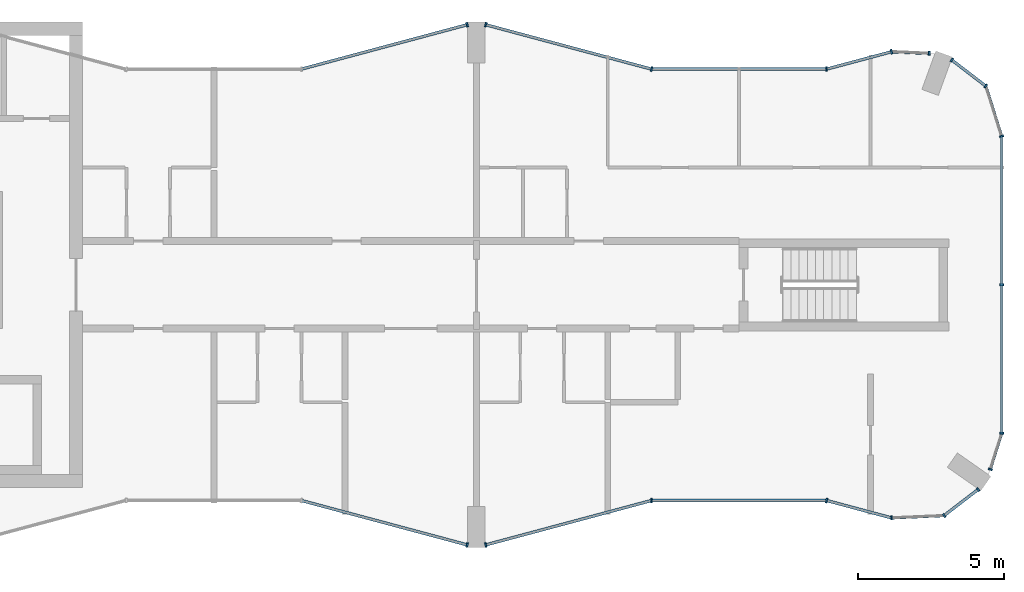
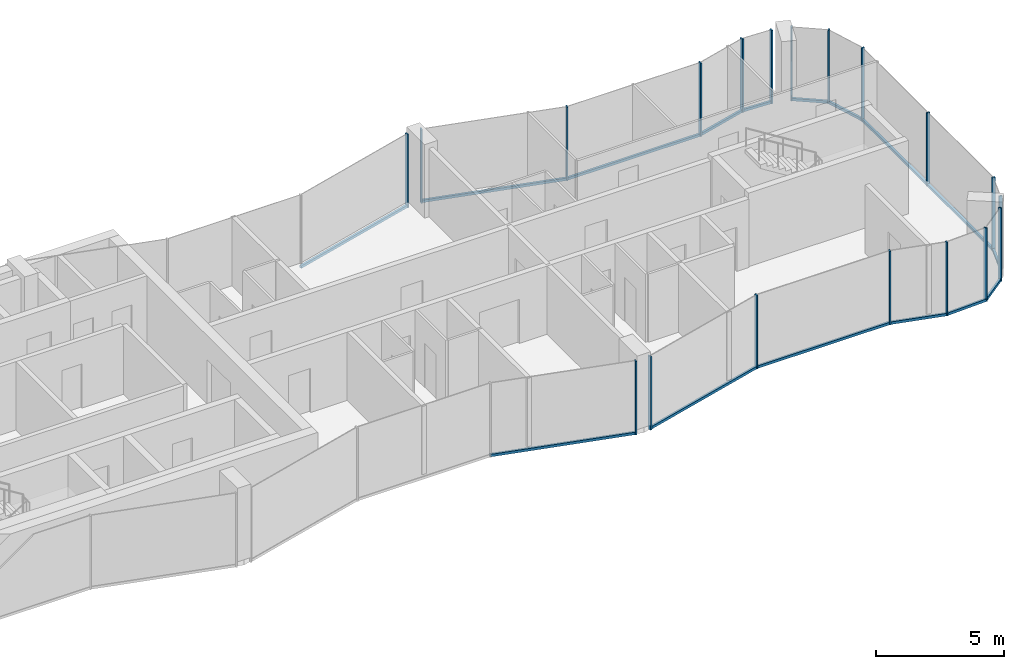
# One storey, part 5 of 10: 34 members, 15 elements without a shape of their own.
"""IFC4 building model written with IfcOpenShell, lengths in metres."""

from ifc_helpers import new_model, si_unit, direction, frame, origin, origin_2d, place, context, subcontext, project, spatial, rectangle, extrude, material, layer, layer_set, material_profile, profile_set, type_object, element, aggregate, save


model = new_model("IFC4")

# Units and contexts
model_context = context("Model", 3, precision=1e-05, world=origin(), true_north=direction((0.0, 1.0)))
body_context = subcontext(model_context, "Body", "Model", "MODEL_VIEW")
ifc_project = project(units=[si_unit("LENGTHUNIT", "METRE"), si_unit("AREAUNIT", "SQUARE_METRE"), si_unit("VOLUMEUNIT", "CUBIC_METRE"), si_unit("PLANEANGLEUNIT", "RADIAN"), si_unit("MASSUNIT", "GRAM", prefix="KILO")], contexts=[model_context])

# Site, building, storey
site_placement = place(None, origin())
site = spatial("IfcSite", under=ifc_project, at=site_placement, CompositionType="ELEMENT")
building_placement = place(site_placement, origin())
building = spatial("IfcBuilding", under=site, at=building_placement, Name="Plateau Cross Towers", CompositionType="ELEMENT")
storey_placement = place(building_placement, frame((0.0, 0.0, 263.39990234375)))
storey = spatial("IfcBuildingStorey", under=building, at=storey_placement, Name="L69", CompositionType="ELEMENT", Elevation=263.39990234375)

# Curtain wall, member
ifc_material_1 = material(Name="Dark low-iron glass", Category="glass")
ifc_layer_1 = layer(ifc_material_1, 0.239990234375)
ifc_layer_set_1 = layer_set([ifc_layer_1], Name="Dark low-iron glass")
curtain_wall_type_1 = type_object("IfcCurtainWallType", Name="Curtain wall flush unitised CW-B", PredefinedType="NOTDEFINED", material=ifc_layer_set_1)
curtain_wall_1_placement = place(storey_placement, origin())
curtain_wall_1 = element("IfcCurtainWall", 1, at=curtain_wall_1_placement, inside=storey, type_object=curtain_wall_type_1, Name="ENV/A/L69/A502_10", PredefinedType="NOTDEFINED")
ifc_material_2 = material(Name="Black anodised aluminium", Category="aluminium")
ifc_material_profile_1 = material_profile(ifc_material_2, rectangle(XDim=0.06005859375, YDim=0.139892578125, at=origin_2d()), Name="MULLION 60x140")
ifc_profile_set_1 = profile_set([ifc_material_profile_1], Name="Black anodised aluminium")
member_type_1 = type_object("IfcMemberType", Name="Mullion 60x140 flush unitised", PredefinedType="MULLION", material=ifc_profile_set_1)
member_1_placement = place(storey_placement, frame((50.223876953125, 1.01123046875, -0.25), z_axis=(0.0, 0.0, 1.0), x_axis=(0.999043701491, 0.043722791671, 0.0)))
member_1 = element("IfcMember", 2, at=member_1_placement, type_object=member_type_1, Name="CW-B mullion 1", PredefinedType="MULLION", context=body_context, shape_type="SweptSolid", body=[
    extrude(rectangle(XDim=0.06005859375, YDim=0.139892578125, at=origin_2d()), origin(), (0.0, 0.0, 1.0), 3.5),
])

# Curtain wall, members
curtain_wall_2_placement = place(storey_placement, origin())
curtain_wall_2 = element("IfcCurtainWall", 3, at=curtain_wall_2_placement, inside=storey, type_object=curtain_wall_type_1, Name="ENV/A/L69/A520_11", PredefinedType="NOTDEFINED")
member_2_placement = place(storey_placement, frame((52.0263671875, 1.090087890625, -0.25), z_axis=(0.0, 0.0, 1.0), x_axis=(0.793315514529, 0.608810721331, 0.0)))
member_2 = element("IfcMember", 4, at=member_2_placement, type_object=member_type_1, Name="CW-B mullion 1", PredefinedType="MULLION", context=body_context, shape_type="SweptSolid", body=[
    extrude(rectangle(XDim=0.06005859375, YDim=0.139892578125, at=origin_2d()), origin(), (0.0, 0.0, 1.0), 3.5),
])
member_3_placement = place(storey_placement, frame((53.193603515625, 1.986083984375, -0.25), z_axis=(0.0, 0.0, 1.0), x_axis=(0.793315514529, 0.608810721331, 0.0)))
member_3 = element("IfcMember", 5, at=member_3_placement, type_object=member_type_1, Name="CW-B mullion 2", PredefinedType="MULLION", context=body_context, shape_type="SweptSolid", body=[
    extrude(rectangle(XDim=0.06005859375, YDim=0.139892578125, at=origin_2d()), origin(), (0.0, 0.0, 1.0), 3.5),
])

# Curtain wall, member
curtain_wall_3_placement = place(storey_placement, origin())
curtain_wall_3 = element("IfcCurtainWall", 6, at=curtain_wall_3_placement, inside=storey, type_object=curtain_wall_type_1, Name="ENV/A/L69/A536_27", PredefinedType="NOTDEFINED")
member_4_placement = place(storey_placement, frame((53.611083984375, 2.67529296875, -0.25), z_axis=(0.0, 0.0, 1.0), x_axis=(0.300686174994, 0.95372313811, 0.0)))
member_4 = element("IfcMember", 7, at=member_4_placement, type_object=member_type_1, Name="CW-B mullion 1", PredefinedType="MULLION", context=body_context, shape_type="SweptSolid", body=[
    extrude(rectangle(XDim=0.06005859375, YDim=0.139892578125, at=origin_2d()), origin(), (0.0, 0.0, 1.0), 3.5),
])

# Curtain wall, members
curtain_wall_4_placement = place(storey_placement, origin())
curtain_wall_4 = element("IfcCurtainWall", 8, at=curtain_wall_4_placement, inside=storey, type_object=curtain_wall_type_1, Name="ENV/A/L69/A540_39", PredefinedType="NOTDEFINED")
member_5_placement = place(storey_placement, frame((54.0, 3.9091796875, -0.25), z_axis=(0.0, 0.0, 1.0), x_axis=(0.0, 1.0, 0.0)))
member_5 = element("IfcMember", 9, at=member_5_placement, type_object=member_type_1, Name="CW-B mullion 1", PredefinedType="MULLION", context=body_context, shape_type="SweptSolid", body=[
    extrude(rectangle(XDim=0.06005859375, YDim=0.139892578125, at=origin_2d()), origin(), (0.0, 0.0, 1.0), 3.5),
])
member_6_placement = place(storey_placement, frame((54.0, 9.0, -0.25), z_axis=(0.0, 0.0, 1.0), x_axis=(0.0, 1.0, 0.0)))
member_6 = element("IfcMember", 10, at=member_6_placement, type_object=member_type_1, Name="CW-B mullion 2", PredefinedType="MULLION", context=body_context, shape_type="SweptSolid", body=[
    extrude(rectangle(XDim=0.06005859375, YDim=0.139892578125, at=origin_2d()), origin(), (0.0, 0.0, 1.0), 3.5),
])

# Curtain wall, member
curtain_wall_5_placement = place(storey_placement, origin())
curtain_wall_5 = element("IfcCurtainWall", 11, at=curtain_wall_5_placement, inside=storey, type_object=curtain_wall_type_1, Name="ENV/A/L69/A540_141", PredefinedType="NOTDEFINED")
member_7_placement = place(storey_placement, frame((54.0, 14.0908203125, -0.25), z_axis=(0.0, 0.0, 1.0), x_axis=(-0.300686174994, 0.95372313811, 0.0)))
member_7 = element("IfcMember", 12, at=member_7_placement, type_object=member_type_1, Name="CW-B mullion 1", PredefinedType="MULLION", context=body_context, shape_type="SweptSolid", body=[
    extrude(rectangle(XDim=0.06005859375, YDim=0.139892578125, at=origin_2d()), origin(), (0.0, 0.0, 1.0), 3.5),
])

# Curtain wall, members
curtain_wall_6_placement = place(storey_placement, origin())
curtain_wall_6 = element("IfcCurtainWall", 13, at=curtain_wall_6_placement, inside=storey, type_object=curtain_wall_type_1, Name="ENV/A/L69/A535_158", PredefinedType="NOTDEFINED")
member_8_placement = place(storey_placement, frame((53.45751953125, 15.8115234375, -0.25), z_axis=(0.0, 0.0, 1.0), x_axis=(-0.793315514529, 0.608810721331, 0.0)))
member_8 = element("IfcMember", 14, at=member_8_placement, type_object=member_type_1, Name="CW-B mullion 1", PredefinedType="MULLION", context=body_context, shape_type="SweptSolid", body=[
    extrude(rectangle(XDim=0.06005859375, YDim=0.139892578125, at=origin_2d()), origin(), (0.0, 0.0, 1.0), 3.5),
])
member_9_placement = place(storey_placement, frame((52.290283203125, 16.707275390625, -0.25), z_axis=(0.0, 0.0, 1.0), x_axis=(-0.793315514529, 0.608810721331, 0.0)))
member_9 = element("IfcMember", 15, at=member_9_placement, type_object=member_type_1, Name="CW-B mullion 2", PredefinedType="MULLION", context=body_context, shape_type="SweptSolid", body=[
    extrude(rectangle(XDim=0.06005859375, YDim=0.139892578125, at=origin_2d()), origin(), (0.0, 0.0, 1.0), 3.5),
])

# Curtain wall, member
curtain_wall_7_placement = place(storey_placement, origin())
curtain_wall_7 = element("IfcCurtainWall", 16, at=curtain_wall_7_placement, inside=storey, type_object=curtain_wall_type_1, Name="ENV/A/L69/A515_169", PredefinedType="NOTDEFINED")
member_10_placement = place(storey_placement, frame((51.516357421875, 16.93212890625, -0.25), z_axis=(0.0, 0.0, 1.0), x_axis=(-0.999043701491, 0.043722791671, 0.0)))
member_10 = element("IfcMember", 17, at=member_10_placement, type_object=member_type_1, Name="CW-B mullion 1", PredefinedType="MULLION", context=body_context, shape_type="SweptSolid", body=[
    extrude(rectangle(XDim=0.06005859375, YDim=0.139892578125, at=origin_2d()), origin(), (0.0, 0.0, 1.0), 3.5),
])

ifc_layer_2 = layer(ifc_material_1, 0.260009765625)
ifc_layer_set_2 = layer_set([ifc_layer_2], Name="Dark low-iron glass")
curtain_wall_type_2 = type_object("IfcCurtainWallType", Name="Curtain wall fluted unitised CW-A", PredefinedType="NOTDEFINED", material=ifc_layer_set_2)
curtain_wall_8_placement = place(storey_placement, origin())
curtain_wall_8 = element("IfcCurtainWall", 18, at=curtain_wall_8_placement, inside=storey, type_object=curtain_wall_type_2, Name="ENV/A/L69/A300_16", PredefinedType="NOTDEFINED")
ifc_material_profile_2 = material_profile(ifc_material_2, rectangle(XDim=0.06005859375, YDim=0.159912109375, at=origin_2d()), Name="MULLION 60x160")
ifc_profile_set_2 = profile_set([ifc_material_profile_2], Name="Black anodised aluminium")
member_type_2 = type_object("IfcMemberType", Name="Mullion 60x160 fluted unitised", PredefinedType="MULLION", material=ifc_profile_set_2)
member_11_placement = place(storey_placement, frame((35.68212890625, 0.085205078125, -0.25), z_axis=(0.0, 0.0, 1.0), x_axis=(0.965957983404, -0.258699003279, 0.0)))
member_11 = element("IfcMember", 19, at=member_11_placement, type_object=member_type_2, Name="CW-A mullion 2", PredefinedType="MULLION", context=body_context, shape_type="SweptSolid", body=[
    extrude(rectangle(XDim=0.06005859375, YDim=0.159912109375, at=origin_2d()), origin(), (0.0, 0.0, 1.0), 3.5),
])

curtain_wall_9_placement = place(storey_placement, origin())
curtain_wall_9 = element("IfcCurtainWall", 20, at=curtain_wall_9_placement, inside=storey, type_object=curtain_wall_type_2, Name="ENV/A/L69/A363_1", PredefinedType="NOTDEFINED")
member_12_placement = place(storey_placement, frame((36.31787109375, 0.085205078125, -0.25), z_axis=(0.0, 0.0, 1.0), x_axis=(0.965957983404, 0.258699003279, 0.0)))
member_12 = element("IfcMember", 21, at=member_12_placement, type_object=member_type_2, Name="CW-A mullion 1", PredefinedType="MULLION", context=body_context, shape_type="SweptSolid", body=[
    extrude(rectangle(XDim=0.06005859375, YDim=0.159912109375, at=origin_2d()), origin(), (0.0, 0.0, 1.0), 3.5),
])

curtain_wall_10_placement = place(storey_placement, origin())
curtain_wall_10 = element("IfcCurtainWall", 22, at=curtain_wall_10_placement, inside=storey, type_object=curtain_wall_type_2, Name="ENV/A/L69/A420_16", PredefinedType="NOTDEFINED")
member_13_placement = place(storey_placement, frame((42.0, 1.60693359375, -0.25), z_axis=(0.0, 0.0, 1.0), x_axis=(1.0, 0.0, 0.0)))
member_13 = element("IfcMember", 23, at=member_13_placement, type_object=member_type_2, Name="CW-A mullion 1", PredefinedType="MULLION", context=body_context, shape_type="SweptSolid", body=[
    extrude(rectangle(XDim=0.06005859375, YDim=0.159912109375, at=origin_2d()), origin(), (0.0, 0.0, 1.0), 3.5),
])

curtain_wall_11_placement = place(storey_placement, origin())
curtain_wall_11 = element("IfcCurtainWall", 24, at=curtain_wall_11_placement, inside=storey, type_object=curtain_wall_type_2, Name="ENV/A/L69/A480_16", PredefinedType="NOTDEFINED")
member_14_placement = place(storey_placement, frame((48.0, 1.60693359375, -0.25), z_axis=(0.0, 0.0, 1.0), x_axis=(0.965957962328, -0.258699081978, 0.0)))
member_14 = element("IfcMember", 25, at=member_14_placement, type_object=member_type_2, Name="CW-A mullion 1", PredefinedType="MULLION", context=body_context, shape_type="SweptSolid", body=[
    extrude(rectangle(XDim=0.06005859375, YDim=0.159912109375, at=origin_2d()), origin(), (0.0, 0.0, 1.0), 3.5),
])

curtain_wall_12_placement = place(storey_placement, origin())
curtain_wall_12 = element("IfcCurtainWall", 26, at=curtain_wall_12_placement, inside=storey, type_object=curtain_wall_type_2, Name="ENV/A/L69/A502_170", PredefinedType="NOTDEFINED")
member_15_placement = place(storey_placement, frame((50.223876953125, 16.98876953125, -0.25), z_axis=(0.0, 0.0, 1.0), x_axis=(-0.965957962328, -0.258699081978, 0.0)))
member_15 = element("IfcMember", 27, at=member_15_placement, type_object=member_type_2, Name="CW-A mullion 1", PredefinedType="MULLION", context=body_context, shape_type="SweptSolid", body=[
    extrude(rectangle(XDim=0.06005859375, YDim=0.159912109375, at=origin_2d()), origin(), (0.0, 0.0, 1.0), 3.5),
])

curtain_wall_13_placement = place(storey_placement, origin())
curtain_wall_13 = element("IfcCurtainWall", 28, at=curtain_wall_13_placement, inside=storey, type_object=curtain_wall_type_2, Name="ENV/A/L69/A480_164", PredefinedType="NOTDEFINED")
member_16_placement = place(storey_placement, frame((48.0, 16.39306640625, -0.25), z_axis=(0.0, 0.0, 1.0), x_axis=(-1.0, 0.0, 0.0)))
member_16 = element("IfcMember", 29, at=member_16_placement, type_object=member_type_2, Name="CW-A mullion 1", PredefinedType="MULLION", context=body_context, shape_type="SweptSolid", body=[
    extrude(rectangle(XDim=0.06005859375, YDim=0.159912109375, at=origin_2d()), origin(), (0.0, 0.0, 1.0), 3.5),
])

# Curtain wall, members
curtain_wall_14_placement = place(storey_placement, origin())
curtain_wall_14 = element("IfcCurtainWall", 30, at=curtain_wall_14_placement, inside=storey, type_object=curtain_wall_type_2, Name="ENV/A/L69/A420_164", PredefinedType="NOTDEFINED")
member_17_placement = place(storey_placement, frame((42.0, 16.39306640625, -0.25), z_axis=(0.0, 0.0, 1.0), x_axis=(-0.965957983404, 0.258699003279, 0.0)))
member_17 = element("IfcMember", 31, at=member_17_placement, type_object=member_type_2, Name="CW-A mullion 1", PredefinedType="MULLION", context=body_context, shape_type="SweptSolid", body=[
    extrude(rectangle(XDim=0.06005859375, YDim=0.159912109375, at=origin_2d()), origin(), (0.0, 0.0, 1.0), 3.5),
])
member_18_placement = place(storey_placement, frame((36.31787109375, 17.914794921875, -0.25), z_axis=(0.0, 0.0, 1.0), x_axis=(-0.965957983404, 0.258699003279, 0.0)))
member_18 = element("IfcMember", 32, at=member_18_placement, type_object=member_type_2, Name="CW-A mullion 2", PredefinedType="MULLION", context=body_context, shape_type="SweptSolid", body=[
    extrude(rectangle(XDim=0.06005859375, YDim=0.159912109375, at=origin_2d()), origin(), (0.0, 0.0, 1.0), 3.5),
])

# Curtain wall, member
curtain_wall_15_placement = place(storey_placement, origin())
curtain_wall_15 = element("IfcCurtainWall", 33, at=curtain_wall_15_placement, inside=storey, type_object=curtain_wall_type_2, Name="ENV/A/L69/A357_179", PredefinedType="NOTDEFINED")
member_19_placement = place(storey_placement, frame((35.68212890625, 17.914794921875, -0.25), z_axis=(0.0, 0.0, 1.0), x_axis=(-0.965957983404, -0.258699003279, 0.0)))
member_19 = element("IfcMember", 34, at=member_19_placement, type_object=member_type_2, Name="CW-A mullion 1", PredefinedType="MULLION", context=body_context, shape_type="SweptSolid", body=[
    extrude(rectangle(XDim=0.06005859375, YDim=0.159912109375, at=origin_2d()), origin(), (0.0, 0.0, 1.0), 3.5),
])

# Member
ifc_material_profile_3 = material_profile(ifc_material_2, rectangle(XDim=0.10009765625, YDim=0.1201171875, at=origin_2d()), Name="TRANSOM 100x120")
ifc_profile_set_3 = profile_set([ifc_material_profile_3], Name="Black anodised aluminium")
member_type_3 = type_object("IfcMemberType", Name="Transom 100x120 flush unitised", PredefinedType="USERDEFINED", material=ifc_profile_set_3)
member_20_placement = place(storey_placement, frame((50.223876953125, 1.01123046875, -0.18994140625), z_axis=(0.999044377355, 0.043707345779, 0.0), x_axis=(-0.043707345779, 0.999044377355, 0.0)))
member_20 = element("IfcMember", 35, at=member_20_placement, type_object=member_type_3, Name="CW-B transom", ObjectType="TRANSOM", PredefinedType="USERDEFINED", context=body_context, shape_type="SweptSolid", body=[
    extrude(rectangle(XDim=0.10009765625, YDim=0.1201171875, at=origin_2d()), origin(), (0.0, 0.0, 1.0), 1.80419921875),
])

aggregate(curtain_wall_1, [member_1, member_20])

member_21_placement = place(storey_placement, frame((52.0263671875, 1.090087890625, -0.18994140625), z_axis=(0.793240368515, 0.608908628415, 0.0), x_axis=(-0.608908628415, 0.793240368515, 0.0)))
member_21 = element("IfcMember", 36, at=member_21_placement, type_object=member_type_3, Name="CW-B transom", ObjectType="TRANSOM", PredefinedType="USERDEFINED", context=body_context, shape_type="SweptSolid", body=[
    extrude(rectangle(XDim=0.10009765625, YDim=0.1201171875, at=origin_2d()), origin(), (0.0, 0.0, 1.0), 1.471435546875),
])

aggregate(curtain_wall_2, [member_2, member_3, member_21])

member_22_placement = place(storey_placement, frame((53.611083984375, 2.67529296875, -0.18994140625), z_axis=(0.300616528216, 0.953745093284, 0.0), x_axis=(-0.953745093284, 0.300616528216, 0.0)))
member_22 = element("IfcMember", 37, at=member_22_placement, type_object=member_type_3, Name="CW-B transom", ObjectType="TRANSOM", PredefinedType="USERDEFINED", context=body_context, shape_type="SweptSolid", body=[
    extrude(rectangle(XDim=0.10009765625, YDim=0.1201171875, at=origin_2d()), origin(), (0.0, 0.0, 1.0), 1.293701171875),
])

aggregate(curtain_wall_3, [member_4, member_22])

member_23_placement = place(storey_placement, frame((54.0, 3.9091796875, -0.18994140625), z_axis=(0.0, 1.0, 0.0), x_axis=(-1.0, 0.0, 0.0)))
member_23 = element("IfcMember", 38, at=member_23_placement, type_object=member_type_3, Name="CW-B transom", ObjectType="TRANSOM", PredefinedType="USERDEFINED", context=body_context, shape_type="SweptSolid", body=[
    extrude(rectangle(XDim=0.10009765625, YDim=0.1201171875, at=origin_2d()), origin(), (0.0, 0.0, 1.0), 10.181640625),
])

aggregate(curtain_wall_4, [member_5, member_6, member_23])

member_24_placement = place(storey_placement, frame((54.0, 14.0908203125, -0.18994140625), z_axis=(-0.30067799945, 0.953725715626, 0.0), x_axis=(-0.953725715626, -0.30067799945, 0.0)))
member_24 = element("IfcMember", 39, at=member_24_placement, type_object=member_type_3, Name="CW-B transom", ObjectType="TRANSOM", PredefinedType="USERDEFINED", context=body_context, shape_type="SweptSolid", body=[
    extrude(rectangle(XDim=0.10009765625, YDim=0.1201171875, at=origin_2d()), origin(), (0.0, 0.0, 1.0), 1.80419921875),
])

aggregate(curtain_wall_5, [member_7, member_24])

member_25_placement = place(storey_placement, frame((53.45751953125, 15.8115234375, -0.18994140625), z_axis=(-0.793320508571, 0.608804213751, 0.0), x_axis=(-0.608804213751, -0.793320508571, 0.0)))
member_25 = element("IfcMember", 40, at=member_25_placement, type_object=member_type_3, Name="CW-B transom", ObjectType="TRANSOM", PredefinedType="USERDEFINED", context=body_context, shape_type="SweptSolid", body=[
    extrude(rectangle(XDim=0.10009765625, YDim=0.1201171875, at=origin_2d()), origin(), (0.0, 0.0, 1.0), 1.471435546875),
])

aggregate(curtain_wall_6, [member_8, member_9, member_25])

member_26_placement = place(storey_placement, frame((51.516357421875, 16.93212890625, -0.18994140625), z_axis=(-0.999041144614, 0.043781175963, 0.0), x_axis=(-0.043781175963, -0.999041144614, 0.0)))
member_26 = element("IfcMember", 41, at=member_26_placement, type_object=member_type_3, Name="CW-B transom", ObjectType="TRANSOM", PredefinedType="USERDEFINED", context=body_context, shape_type="SweptSolid", body=[
    extrude(rectangle(XDim=0.10009765625, YDim=0.1201171875, at=origin_2d()), origin(), (0.0, 0.0, 1.0), 1.293701171875),
])

aggregate(curtain_wall_7, [member_10, member_26])

ifc_material_profile_4 = material_profile(ifc_material_2, rectangle(XDim=0.10009765625, YDim=0.1201171875, at=origin_2d()), Name="TRANSOM 100x120")
ifc_profile_set_4 = profile_set([ifc_material_profile_4], Name="Black anodised aluminium")
member_type_4 = type_object("IfcMemberType", Name="Transom 100x120 fluted unitised", PredefinedType="USERDEFINED", material=ifc_profile_set_4)
member_27_placement = place(storey_placement, frame((30.0, 1.60693359375, -0.18994140625), z_axis=(0.965959534794, -0.258693210465, 0.0), x_axis=(0.258693210465, 0.965959534794, 0.0)))
member_27 = element("IfcMember", 42, at=member_27_placement, type_object=member_type_4, Name="CW-A transom", ObjectType="TRANSOM", PredefinedType="USERDEFINED", context=body_context, shape_type="SweptSolid", body=[
    extrude(rectangle(XDim=0.10009765625, YDim=0.1201171875, at=origin_2d()), origin(), (0.0, 0.0, 1.0), 5.88232421875),
])

aggregate(curtain_wall_8, [member_11, member_27])

member_28_placement = place(storey_placement, frame((36.31787109375, 0.085205078125, -0.18994140625), z_axis=(0.965959534794, 0.258693210465, 0.0), x_axis=(-0.258693210465, 0.965959534794, 0.0)))
member_28 = element("IfcMember", 43, at=member_28_placement, type_object=member_type_4, Name="CW-A transom", ObjectType="TRANSOM", PredefinedType="USERDEFINED", context=body_context, shape_type="SweptSolid", body=[
    extrude(rectangle(XDim=0.10009765625, YDim=0.1201171875, at=origin_2d()), origin(), (0.0, 0.0, 1.0), 5.88232421875),
])

aggregate(curtain_wall_9, [member_12, member_28])

member_29_placement = place(storey_placement, frame((42.0, 1.60693359375, -0.18994140625), z_axis=(1.0, 0.0, 0.0), x_axis=(0.0, 1.0, 0.0)))
member_29 = element("IfcMember", 44, at=member_29_placement, type_object=member_type_4, Name="CW-A transom", ObjectType="TRANSOM", PredefinedType="USERDEFINED", context=body_context, shape_type="SweptSolid", body=[
    extrude(rectangle(XDim=0.10009765625, YDim=0.1201171875, at=origin_2d()), origin(), (0.0, 0.0, 1.0), 6.0),
])

aggregate(curtain_wall_10, [member_13, member_29])

member_30_placement = place(storey_placement, frame((48.0, 1.60693359375, -0.18994140625), z_axis=(0.965945685136, -0.258744919501, 0.0), x_axis=(0.258744919501, 0.965945685136, 0.0)))
member_30 = element("IfcMember", 45, at=member_30_placement, type_object=member_type_4, Name="CW-A transom", ObjectType="TRANSOM", PredefinedType="USERDEFINED", context=body_context, shape_type="SweptSolid", body=[
    extrude(rectangle(XDim=0.10009765625, YDim=0.1201171875, at=origin_2d()), origin(), (0.0, 0.0, 1.0), 2.30224609375),
])

aggregate(curtain_wall_11, [member_14, member_30])

member_31_placement = place(storey_placement, frame((50.223876953125, 16.98876953125, -0.18994140625), z_axis=(-0.965945685136, -0.258744919501, 0.0), x_axis=(0.258744919501, -0.965945685136, 0.0)))
member_31 = element("IfcMember", 46, at=member_31_placement, type_object=member_type_4, Name="CW-A transom", ObjectType="TRANSOM", PredefinedType="USERDEFINED", context=body_context, shape_type="SweptSolid", body=[
    extrude(rectangle(XDim=0.10009765625, YDim=0.1201171875, at=origin_2d()), origin(), (0.0, 0.0, 1.0), 2.30224609375),
])

aggregate(curtain_wall_12, [member_15, member_31])

member_32_placement = place(storey_placement, frame((48.0, 16.39306640625, -0.18994140625), z_axis=(-1.0, 0.0, 0.0), x_axis=(0.0, -1.0, 0.0)))
member_32 = element("IfcMember", 47, at=member_32_placement, type_object=member_type_4, Name="CW-A transom", ObjectType="TRANSOM", PredefinedType="USERDEFINED", context=body_context, shape_type="SweptSolid", body=[
    extrude(rectangle(XDim=0.10009765625, YDim=0.1201171875, at=origin_2d()), origin(), (0.0, 0.0, 1.0), 6.0),
])

aggregate(curtain_wall_13, [member_16, member_32])

member_33_placement = place(storey_placement, frame((42.0, 16.39306640625, -0.18994140625), z_axis=(-0.965959534794, 0.258693210465, 0.0), x_axis=(-0.258693210465, -0.965959534794, 0.0)))
member_33 = element("IfcMember", 48, at=member_33_placement, type_object=member_type_4, Name="CW-A transom", ObjectType="TRANSOM", PredefinedType="USERDEFINED", context=body_context, shape_type="SweptSolid", body=[
    extrude(rectangle(XDim=0.10009765625, YDim=0.1201171875, at=origin_2d()), origin(), (0.0, 0.0, 1.0), 5.88232421875),
])

aggregate(curtain_wall_14, [member_17, member_18, member_33])

member_34_placement = place(storey_placement, frame((35.68212890625, 17.914794921875, -0.18994140625), z_axis=(-0.965959534794, -0.258693210465, 0.0), x_axis=(0.258693210465, -0.965959534794, 0.0)))
member_34 = element("IfcMember", 49, at=member_34_placement, type_object=member_type_4, Name="CW-A transom", ObjectType="TRANSOM", PredefinedType="USERDEFINED", context=body_context, shape_type="SweptSolid", body=[
    extrude(rectangle(XDim=0.10009765625, YDim=0.1201171875, at=origin_2d()), origin(), (0.0, 0.0, 1.0), 5.88232421875),
])

aggregate(curtain_wall_15, [member_19, member_34])

save(model, "model.ifc")
